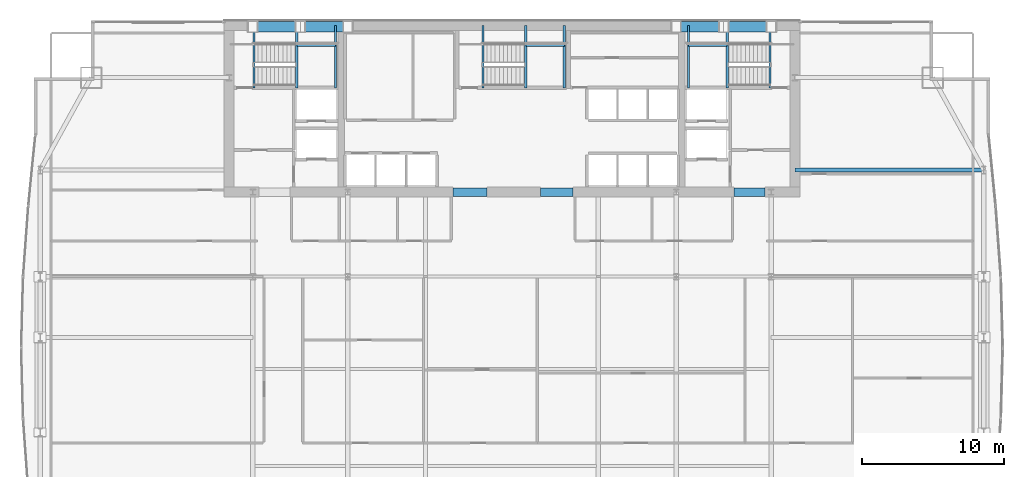
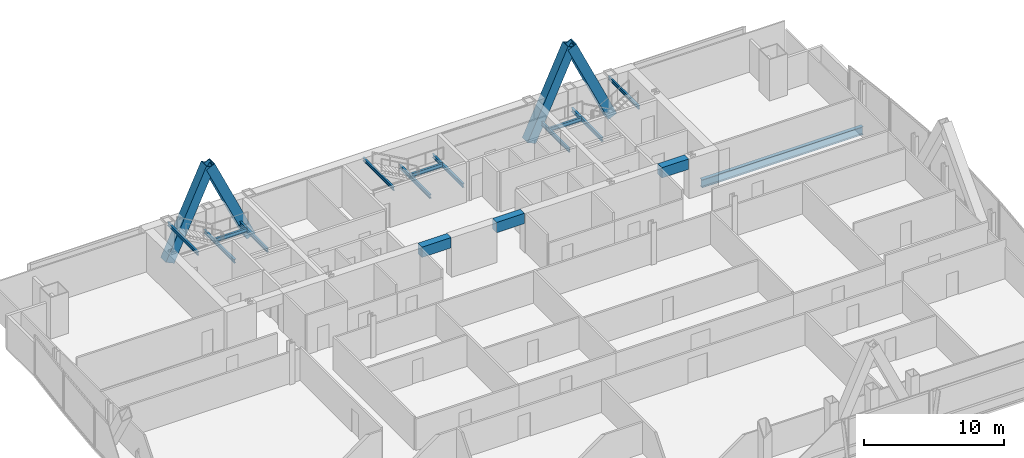
# One storey, part 19 of 31: 16 beams, 4 members.
"""IFC4 building model written with IfcOpenShell, lengths in metres."""

from ifc_helpers import new_model, si_unit, direction, frame, origin, origin_2d, place, context, subcontext, project, spatial, rectangle, hollow_rectangle, i_section, extrude, material, material_profile, profile_set, type_object, element, save


model = new_model("IFC4")

# Units and contexts
model_context = context("Model", 3, precision=1e-05, world=origin(), true_north=direction((0.0, 1.0)))
body_context = subcontext(model_context, "Body", "Model", "MODEL_VIEW")
ifc_project = project(units=[si_unit("LENGTHUNIT", "METRE"), si_unit("AREAUNIT", "SQUARE_METRE"), si_unit("VOLUMEUNIT", "CUBIC_METRE"), si_unit("PLANEANGLEUNIT", "RADIAN"), si_unit("MASSUNIT", "GRAM", prefix="KILO")], contexts=[model_context])

# Site, building, storey
site_placement = place(None, origin())
site = spatial("IfcSite", under=ifc_project, at=site_placement, CompositionType="ELEMENT")
building_placement = place(site_placement, origin())
building = spatial("IfcBuilding", under=site, at=building_placement, Name="Khoronbel Lancet Exchange", CompositionType="ELEMENT")
storey_placement = place(building_placement, frame((0.0, 0.0, 129.0)))
storey = spatial("IfcBuildingStorey", under=building, at=storey_placement, Name="L31", CompositionType="ELEMENT", Elevation=129.0)

# Beams
ifc_material_1 = material(Name="Steel S355", Category="steel")
ifc_material_profile_1 = material_profile(ifc_material_1, i_section(OverallWidth=0.300048828125, OverallDepth=0.699951171875, WebThickness=0.01708984375, FlangeThickness=0.031982421875, at=origin_2d()), Name="HEB 700")
ifc_profile_set_1 = profile_set([ifc_material_profile_1], Name="Steel S355")
beam_type_1 = type_object("IfcBeamType", Name="BM-BG3", PredefinedType="BEAM", material=ifc_profile_set_1)
beam_1_placement = place(storey_placement, frame((56.35009765625, 43.199951171875, -0.510009765625), z_axis=(1.0, 0.0, 0.0), x_axis=(0.0, 1.0, 0.0)))
element("IfcBeam", 1, at=beam_1_placement, inside=storey, type_object=beam_type_1, Name="Level L31 east lens tie girder LG3E", PredefinedType="BEAM", context=body_context, shape_type="SweptSolid", body=[
    extrude(i_section(OverallWidth=0.300048828125, OverallDepth=0.699951171875, WebThickness=0.01708984375, FlangeThickness=0.031982421875, at=origin_2d()), origin(), (0.0, 0.0, 1.0), 13.27978515625),
])
ifc_material_profile_2 = material_profile(ifc_material_1, i_section(OverallWidth=0.159912109375, OverallDepth=0.330078125, WebThickness=0.007568359375, FlangeThickness=0.011474609375, at=origin_2d()), Name="IPE 330")
ifc_profile_set_2 = profile_set([ifc_material_profile_2], Name="Steel S355")
beam_type_2 = type_object("IfcBeamType", Name="BM-BJ7", PredefinedType="JOIST", material=ifc_profile_set_2)
for number, where, z_axis, x_axis, name in (
    (2, (21.320068359375, 48.97998046875, 1.43505859375), (0.0, 1.0, 0.0), (-1.0, 0.0, 0.0), "Level L31 stair ST1 landing bearer beam 1"),
    (3, (24.030029296875, 48.97998046875, 1.43505859375), (0.0, 1.0, 0.0), (-1.0, 0.0, 0.0), "Level L31 stair ST1 rear landing bearer beam 1"),
):
    element("IfcBeam", number, at=place(storey_placement, frame(where, z_axis=z_axis, x_axis=x_axis)), inside=storey, type_object=beam_type_2, Name=name, PredefinedType="JOIST", context=body_context, shape_type="SweptSolid", body=[
        extrude(i_section(OverallWidth=0.159912109375, OverallDepth=0.330078125, WebThickness=0.007568359375, FlangeThickness=0.011474609375, at=origin_2d()), origin(), (0.0, 0.0, 1.0), 4.3701171875),
    ])
beam_2_placement = place(storey_placement, frame((21.320068359375, 51.97998046875, 1.43505859375), z_axis=(1.0, 0.0, 0.0), x_axis=(0.0, 1.0, 0.0)))
element("IfcBeam", 4, at=beam_2_placement, inside=storey, type_object=beam_type_2, Name="Level L31 stair ST1 landing cross trimmer beam 1", PredefinedType="JOIST", context=body_context, shape_type="SweptSolid", body=[
    extrude(i_section(OverallWidth=0.159912109375, OverallDepth=0.330078125, WebThickness=0.007568359375, FlangeThickness=0.011474609375, at=origin_2d()), origin(), (0.0, 0.0, 1.0), 2.7099609375),
])
for number, where, z_axis, x_axis, name in (
    (5, (51.580078125, 48.97998046875, 1.43505859375), (0.0, 1.0, 0.0), (-1.0, 0.0, 0.0), "Level L31 stair ST2 landing bearer beam 1"),
    (6, (48.8701171875, 48.97998046875, 1.43505859375), (0.0, 1.0, 0.0), (-1.0, 0.0, 0.0), "Level L31 stair ST2 rear landing bearer beam 1"),
):
    element("IfcBeam", number, at=place(storey_placement, frame(where, z_axis=z_axis, x_axis=x_axis)), inside=storey, type_object=beam_type_2, Name=name, PredefinedType="JOIST", context=body_context, shape_type="SweptSolid", body=[
        extrude(i_section(OverallWidth=0.159912109375, OverallDepth=0.330078125, WebThickness=0.007568359375, FlangeThickness=0.011474609375, at=origin_2d()), origin(), (0.0, 0.0, 1.0), 4.3701171875),
    ])
beam_3_placement = place(storey_placement, frame((48.8701171875, 51.97998046875, 1.43505859375), z_axis=(1.0, 0.0, 0.0), x_axis=(0.0, 1.0, 0.0)))
element("IfcBeam", 7, at=beam_3_placement, inside=storey, type_object=beam_type_2, Name="Level L31 stair ST2 landing cross trimmer beam 1", PredefinedType="JOIST", context=body_context, shape_type="SweptSolid", body=[
    extrude(i_section(OverallWidth=0.159912109375, OverallDepth=0.330078125, WebThickness=0.007568359375, FlangeThickness=0.011474609375, at=origin_2d()), origin(), (0.0, 0.0, 1.0), 2.7099609375),
])
for number, where, z_axis, x_axis, name in (
    (8, (37.419921875, 48.97998046875, 1.43505859375), (0.0, 1.0, 0.0), (-1.0, 0.0, 0.0), "Level L31 stair ST3 landing bearer beam 1"),
    (9, (40.1298828125, 48.97998046875, 1.43505859375), (0.0, 1.0, 0.0), (-1.0, 0.0, 0.0), "Level L31 stair ST3 rear landing bearer beam 1"),
):
    element("IfcBeam", number, at=place(storey_placement, frame(where, z_axis=z_axis, x_axis=x_axis)), inside=storey, type_object=beam_type_2, Name=name, PredefinedType="JOIST", context=body_context, shape_type="SweptSolid", body=[
        extrude(i_section(OverallWidth=0.159912109375, OverallDepth=0.330078125, WebThickness=0.007568359375, FlangeThickness=0.011474609375, at=origin_2d()), origin(), (0.0, 0.0, 1.0), 4.3701171875),
    ])
beam_4_placement = place(storey_placement, frame((37.419921875, 51.97998046875, 1.43505859375), z_axis=(1.0, 0.0, 0.0), x_axis=(0.0, 1.0, 0.0)))
element("IfcBeam", 10, at=beam_4_placement, inside=storey, type_object=beam_type_2, Name="Level L31 stair ST3 landing cross trimmer beam 1", PredefinedType="JOIST", context=body_context, shape_type="SweptSolid", body=[
    extrude(i_section(OverallWidth=0.159912109375, OverallDepth=0.330078125, WebThickness=0.007568359375, FlangeThickness=0.011474609375, at=origin_2d()), origin(), (0.0, 0.0, 1.0), 2.7099609375),
])
ifc_material_profile_3 = material_profile(ifc_material_1, i_section(OverallWidth=0.14990234375, OverallDepth=0.300048828125, WebThickness=0.007080078125, FlangeThickness=0.0107421875, at=origin_2d()), Name="IPE 300")
ifc_profile_set_3 = profile_set([ifc_material_profile_3], Name="Steel S355")
beam_type_3 = type_object("IfcBeamType", Name="BM-BJ8", PredefinedType="JOIST", material=ifc_profile_set_3)
for number, where, z_axis, x_axis, name in (
    (11, (18.300048828125, 48.97998046875, 3.159912109375), (0.0, 1.0, 0.0), (-1.0, 0.0, 0.0), "Level L31 stair ST1 upper-flight arrival trimmer beam"),
    (12, (54.60009765625, 48.97998046875, 3.159912109375), (0.0, 1.0, 0.0), (-1.0, 0.0, 0.0), "Level L31 stair ST2 upper-flight arrival trimmer beam"),
    (13, (34.39990234375, 48.97998046875, 3.159912109375), (0.0, 1.0, 0.0), (-1.0, 0.0, 0.0), "Level L31 stair ST3 upper-flight arrival trimmer beam"),
):
    element("IfcBeam", number, at=place(storey_placement, frame(where, z_axis=z_axis, x_axis=x_axis)), inside=storey, type_object=beam_type_3, Name=name, PredefinedType="JOIST", context=body_context, shape_type="SweptSolid", body=[
        extrude(i_section(OverallWidth=0.14990234375, OverallDepth=0.300048828125, WebThickness=0.007080078125, FlangeThickness=0.0107421875, at=origin_2d()), origin(), (0.0, 0.0, 1.0), 4.3701171875),
    ])
ifc_material_2 = material(Name="Concrete C80/95", Category="concrete")
ifc_material_profile_4 = material_profile(ifc_material_2, rectangle(XDim=0.60009765625, YDim=0.89990234375, at=origin_2d()), Name="RC 600x900")
ifc_profile_set_4 = profile_set([ifc_material_profile_4], Name="Concrete C80/95")
beam_type_4 = type_object("IfcBeamType", Name="BM-BL1", PredefinedType="LINTEL", material=ifc_profile_set_4)
beam_5_placement = place(storey_placement, frame((32.300048828125, 41.64990234375, 2.989990234375), z_axis=(1.0, 0.0, 0.0), x_axis=(0.0, 1.0, 0.0)))
element("IfcBeam", 14, at=beam_5_placement, inside=storey, type_object=beam_type_4, Name="Level L31 rear core coupling lintel L2", PredefinedType="LINTEL", context=body_context, shape_type="SweptSolid", body=[
    extrude(rectangle(XDim=0.60009765625, YDim=0.89990234375, at=origin_2d()), origin(), (0.0, 0.0, 1.0), 2.39990234375),
])
beam_6_placement = place(storey_placement, frame((38.449951171875, 41.64990234375, 2.989990234375), z_axis=(1.0, 0.0, 0.0), x_axis=(0.0, 1.0, 0.0)))
element("IfcBeam", 15, at=beam_6_placement, inside=storey, type_object=beam_type_4, Name="Level L31 rear core coupling lintel L3", PredefinedType="LINTEL", context=body_context, shape_type="SweptSolid", body=[
    extrude(rectangle(XDim=0.60009765625, YDim=0.89990234375, at=origin_2d()), origin(), (0.0, 0.0, 1.0), 2.300048828125),
])
beam_7_placement = place(storey_placement, frame((52.050048828125, 41.64990234375, 2.989990234375), z_axis=(1.0, 0.0, 0.0), x_axis=(0.0, 1.0, 0.0)))
element("IfcBeam", 16, at=beam_7_placement, inside=storey, type_object=beam_type_4, Name="Level L31 rear core coupling lintel L4", PredefinedType="LINTEL", context=body_context, shape_type="SweptSolid", body=[
    extrude(rectangle(XDim=0.60009765625, YDim=0.89990234375, at=origin_2d()), origin(), (0.0, 0.0, 1.0), 2.199951171875),
])

# Members
ifc_material_3 = material(Name="Steel S460", Category="steel")
ifc_material_profile_5 = material_profile(ifc_material_3, hollow_rectangle(XDim=0.760009765625, YDim=0.760009765625, WallThickness=0.054931640625, at=origin_2d()), Name="BOX 760x760x55")
ifc_profile_set_5 = profile_set([ifc_material_profile_5], Name="Steel S460")
member_type = type_object("IfcMemberType", Name="MEM-MB1", PredefinedType="BRACE", material=ifc_profile_set_5)
for number, where, z_axis, x_axis, name in (
    (17, (18.22509765625, 53.280029296875, 0.0), (0.420548106082, 0.0, 0.907270241147), (0.0, 1.0, 0.0), "Perimeter lancet brace tier 10 N-W-L"),
    (18, (24.89990234375, 53.280029296875, 0.0), (-0.420548106082, 0.0, 0.907270241147), (0.0, -1.0, 0.0), "Perimeter lancet brace tier 10 N-W-R"),
    (19, (48.0, 53.280029296875, 0.0), (0.420548106082, 0.0, 0.907270241147), (0.0, 1.0, 0.0), "Perimeter lancet brace tier 10 N-E-L"),
):
    element("IfcMember", number, at=place(storey_placement, frame(where, z_axis=z_axis, x_axis=x_axis)), inside=storey, type_object=member_type, Name=name, PredefinedType="BRACE", context=body_context, shape_type="SweptSolid", body=[
        extrude(hollow_rectangle(XDim=0.760009765625, YDim=0.760009765625, WallThickness=0.054931640625, at=origin_2d()), origin(), (0.0, 0.0, 1.0), 7.935791015625),
    ])
member_placement = place(storey_placement, frame((54.675048828125, 53.280029296875, 0.0), z_axis=(-0.420573428903, 0.0, 0.907258502799), x_axis=(0.0, -1.0, 0.0)))
element("IfcMember", 20, at=member_placement, inside=storey, type_object=member_type, Name="Perimeter lancet brace tier 10 N-E-R", PredefinedType="BRACE", context=body_context, shape_type="SweptSolid", body=[
    extrude(hollow_rectangle(XDim=0.760009765625, YDim=0.760009765625, WallThickness=0.054931640625, at=origin_2d()), origin(), (0.0, 0.0, 1.0), 7.93603515625),
])

save(model, "model.ifc")
